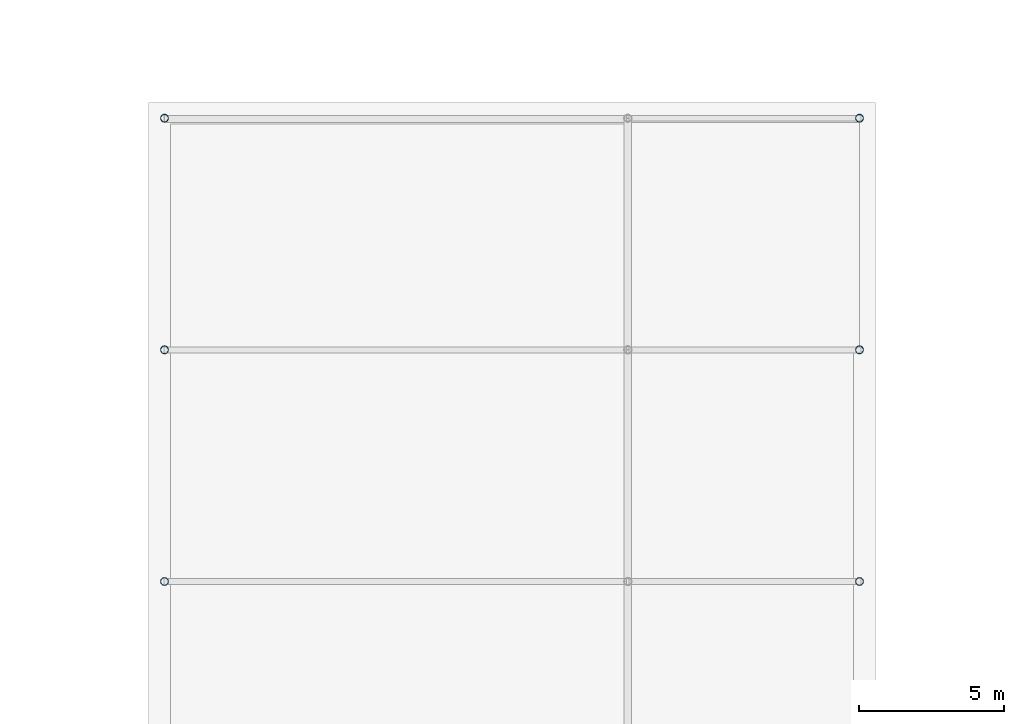
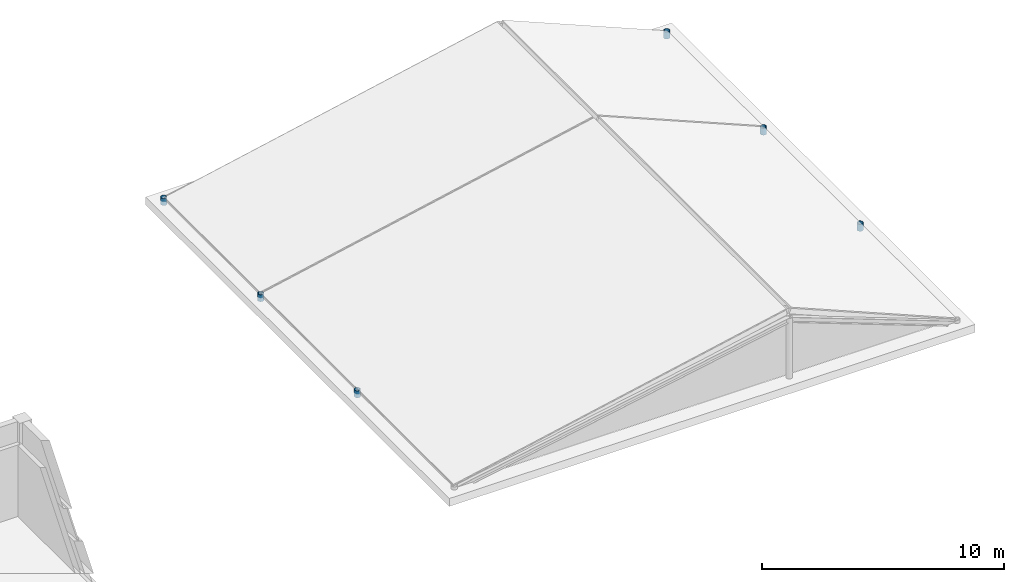
# One storey, part 8 of 43: 6 columns.
"""IFC4 building model written with IfcOpenShell, lengths in metres."""

from ifc_helpers import new_model, si_unit, direction, frame, origin, origin_2d, place, context, subcontext, project, spatial, hollow_circle, extrude, material, material_profile, profile_set, type_object, element, save


model = new_model("IFC4")

# Units and contexts
model_context = context("Model", 3, precision=1e-05, world=origin(), true_north=direction((0.0, 1.0)))
body_context = subcontext(model_context, "Body", "Model", "MODEL_VIEW")
ifc_project = project(units=[si_unit("LENGTHUNIT", "METRE"), si_unit("AREAUNIT", "SQUARE_METRE"), si_unit("VOLUMEUNIT", "CUBIC_METRE"), si_unit("PLANEANGLEUNIT", "RADIAN"), si_unit("MASSUNIT", "GRAM", prefix="KILO")], contexts=[model_context])

# Site, building, storey
site_placement = place(None, origin())
site = spatial("IfcSite", under=ifc_project, at=site_placement, CompositionType="ELEMENT")
building_placement = place(site_placement, origin())
building = spatial("IfcBuilding", under=site, at=building_placement, Name="Qorikala Patio Media Centre", CompositionType="ELEMENT")
storey_placement = place(building_placement, frame((0.0, 0.0, 18.89990234375)))
storey = spatial("IfcBuildingStorey", under=building, at=storey_placement, Name="L04", CompositionType="ELEMENT", Elevation=18.89990234375)

# Columns
ifc_material = material(Name="Steel S355", Category="steel")
ifc_material_profile = material_profile(ifc_material, hollow_circle(Radius=0.136474609375, WallThickness=0.010009765625, at=origin_2d()), Name="CHS273X10")
ifc_profile_set = profile_set([ifc_material_profile], Name="Steel S355")
column_type = type_object("IfcColumnType", Name="SCOL-CHS273X10", PredefinedType="COLUMN", material=ifc_profile_set)
for number, where, z_axis, x_axis, name in (
    (1, (51.0, 72.0, 0.0), (0.0, 0.0, 1.0), (1.0, 0.0, 0.0), "RF-V5A Eave Post (51,72)"),
    (2, (75.0, 72.0, 0.0), (0.0, 0.0, 1.0), (1.0, 0.0, 0.0), "RF-V5A Eave Post (75,72)"),
    (3, (51.0, 80.0, 0.0), (0.0, 0.0, 1.0), (1.0, 0.0, 0.0), "RF-V5A Eave Post (51,80)"),
    (4, (75.0, 80.0, 0.0), (0.0, 0.0, 1.0), (1.0, 0.0, 0.0), "RF-V5A Eave Post (75,80)"),
    (5, (51.0, 88.0, 0.0), (0.0, 0.0, 1.0), (1.0, 0.0, 0.0), "RF-V5B Eave Post (51,88)"),
    (6, (75.0, 88.0, 0.0), (0.0, 0.0, 1.0), (1.0, 0.0, 0.0), "RF-V5B Eave Post (75,88)"),
):
    element("IfcColumn", number, at=place(storey_placement, frame(where, z_axis=z_axis, x_axis=x_axis)), inside=storey, type_object=column_type, Name=name, PredefinedType="COLUMN", context=body_context, shape_type="SweptSolid", body=[
        extrude(hollow_circle(Radius=0.136474609375, WallThickness=0.010009765625, at=origin_2d()), origin(), (0.0, 0.0, 1.0), 0.35009765625),
    ])

save(model, "model.ifc")
